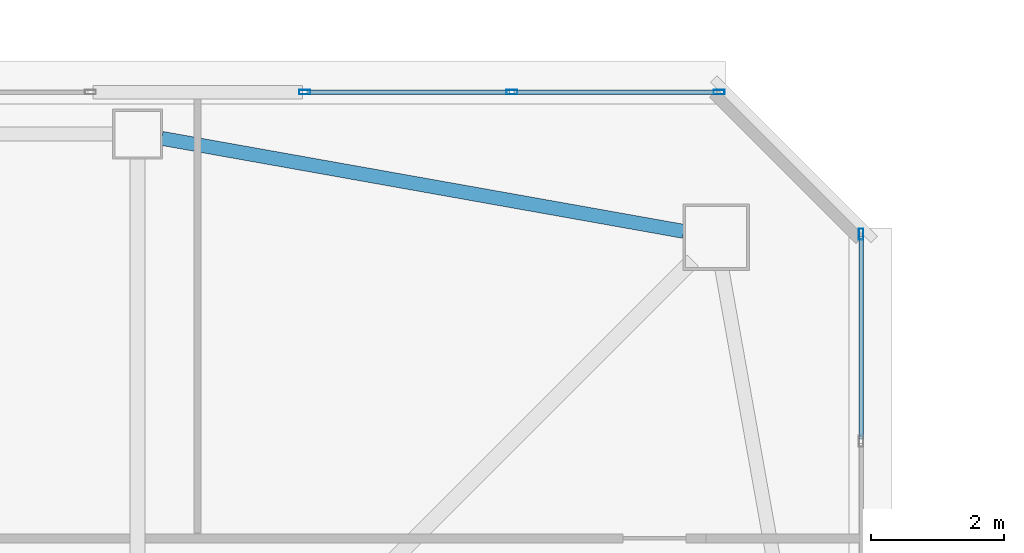
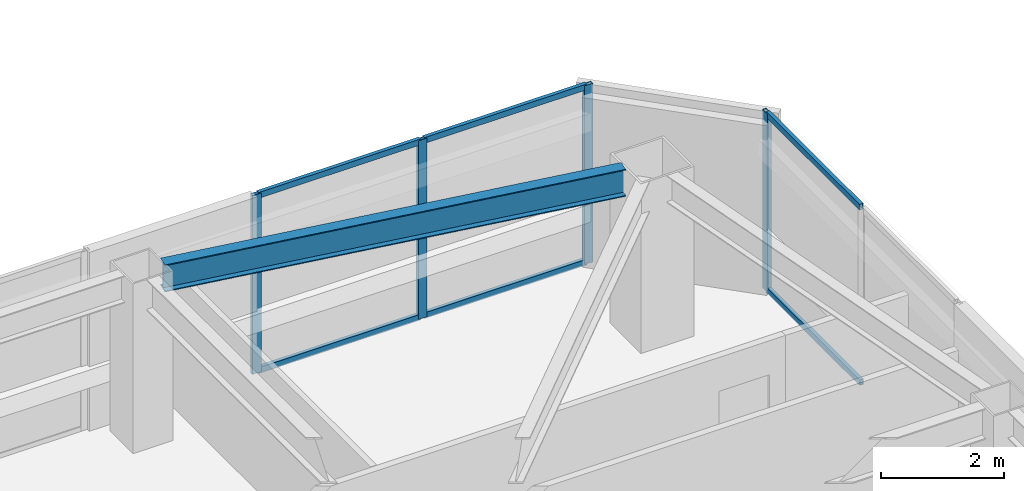
# One storey, part 14 of 39: 10 members, 1 beam, 2 elements without a shape of their own.
"""IFC4 building model written with IfcOpenShell, lengths in metres."""

from ifc_helpers import new_model, si_unit, direction, frame, origin, origin_2d, place, context, subcontext, project, spatial, hollow_rectangle, i_section, extrude, material, material_profile, profile_set, type_object, element, aggregate, save


model = new_model("IFC4")

# Units and contexts
model_context = context("Model", 3, precision=1e-05, world=origin(), true_north=direction((0.0, 1.0)))
body_context = subcontext(model_context, "Body", "Model", "MODEL_VIEW")
ifc_project = project(units=[si_unit("LENGTHUNIT", "METRE"), si_unit("AREAUNIT", "SQUARE_METRE"), si_unit("VOLUMEUNIT", "CUBIC_METRE"), si_unit("PLANEANGLEUNIT", "RADIAN"), si_unit("MASSUNIT", "GRAM", prefix="KILO")], contexts=[model_context])

# Site, building, storey
site_placement = place(None, origin())
site = spatial("IfcSite", under=ifc_project, at=site_placement, CompositionType="ELEMENT")
building_placement = place(site_placement, origin())
building = spatial("IfcBuilding", under=site, at=building_placement, Name="Tashvorn Skyway Center", CompositionType="ELEMENT")
storey_placement = place(building_placement, frame((0.0, 0.0, 214.85009765625)))
storey = spatial("IfcBuildingStorey", under=building, at=storey_placement, Name="L58", CompositionType="ELEMENT", Elevation=214.85009765625)

# Beam
ifc_material_1 = material(Name="Steel ASTM A992 Grade 50", Category="steel")
ifc_material_profile_1 = material_profile(ifc_material_1, i_section(OverallWidth=0.2109375, OverallDepth=0.5390625, WebThickness=0.01171875, FlangeThickness=0.018798828125, at=origin_2d()), Name="W21X73")
ifc_profile_set_1 = profile_set([ifc_material_profile_1], Name="Steel ASTM A992 Grade 50")
beam_type = type_object("IfcBeamType", Name="BM-SPANDREL-W21X73", PredefinedType="SPANDREL", material=ifc_profile_set_1)
beam_placement = place(storey_placement, frame((55.61279296875, 46.186767578125, 3.100341796875), z_axis=(-0.984494883191, 0.17541329759, 0.0), x_axis=(-0.17541329759, -0.984494883191, 0.0)))
element("IfcBeam", 1, at=beam_placement, inside=storey, type_object=beam_type, Name="Tower 1 L58 Spandrel Beam 07", PredefinedType="SPANDREL", context=body_context, shape_type="SweptSolid", body=[
    extrude(i_section(OverallWidth=0.2109375, OverallDepth=0.5390625, WebThickness=0.01171875, FlangeThickness=0.018798828125, at=origin_2d()), origin(), (0.0, 0.0, 1.0), 7.97216796875),
])

# Curtain wall, members
ifc_material_2 = material(Name="Thermally broken bronze-anodized aluminium 6063-T6", Category="aluminium")
curtain_wall_type = type_object("IfcCurtainWallType", Name="CW-CW-Z5", PredefinedType="NOTDEFINED", material=ifc_material_2)
curtain_wall_1_placement = place(storey_placement, origin())
curtain_wall_1 = element("IfcCurtainWall", 2, at=curtain_wall_1_placement, inside=storey, type_object=curtain_wall_type, Name="Tower 1 L58 North Unitised Curtain Wall Glazing Group 3", PredefinedType="NOTDEFINED")
ifc_material_profile_2 = material_profile(ifc_material_2, hollow_rectangle(XDim=0.070068359375, YDim=0.1650390625, WallThickness=0.00390625, at=origin_2d()), Name="ALU-MULL-70x165")
ifc_profile_set_2 = profile_set([ifc_material_profile_2], Name="Thermally broken bronze-anodized aluminium 6063-T6")
member_type_1 = type_object("IfcMemberType", Name="CWM-CW-Z5", PredefinedType="MULLION", material=ifc_profile_set_2)
member_1_placement = place(storey_placement, frame((49.912841796875, 48.280029296875, 0.0), z_axis=(0.0, 0.0, 1.0), x_axis=(0.0, 1.0, 0.0)))
member_1 = element("IfcMember", 3, at=member_1_placement, type_object=member_type_1, Name="CW-Z5 mullion 1", PredefinedType="MULLION", context=body_context, shape_type="SweptSolid", body=[
    extrude(hollow_rectangle(XDim=0.070068359375, YDim=0.1650390625, WallThickness=0.00390625, at=origin_2d()), origin(), (0.0, 0.0, 1.0), 3.5498046875),
])
member_2_placement = place(storey_placement, frame((53.02880859375, 48.280029296875, 0.0), z_axis=(0.0, 0.0, 1.0), x_axis=(0.0, 1.0, 0.0)))
member_2 = element("IfcMember", 4, at=member_2_placement, type_object=member_type_1, Name="CW-Z5 mullion 2", PredefinedType="MULLION", context=body_context, shape_type="SweptSolid", body=[
    extrude(hollow_rectangle(XDim=0.070068359375, YDim=0.1650390625, WallThickness=0.00390625, at=origin_2d()), origin(), (0.0, 0.0, 1.0), 3.5498046875),
])
member_3_placement = place(storey_placement, frame((56.14501953125, 48.280029296875, 0.0), z_axis=(0.0, 0.0, 1.0), x_axis=(0.0, 1.0, 0.0)))
member_3 = element("IfcMember", 5, at=member_3_placement, type_object=member_type_1, Name="CW-Z5 mullion 3", PredefinedType="MULLION", context=body_context, shape_type="SweptSolid", body=[
    extrude(hollow_rectangle(XDim=0.070068359375, YDim=0.1650390625, WallThickness=0.00390625, at=origin_2d()), origin(), (0.0, 0.0, 1.0), 3.5498046875),
])

# Curtain wall, member
curtain_wall_2_placement = place(storey_placement, origin())
curtain_wall_2 = element("IfcCurtainWall", 6, at=curtain_wall_2_placement, inside=storey, type_object=curtain_wall_type, Name="Tower 1 L58 East Unitised Curtain Wall Glazing Group 1", PredefinedType="NOTDEFINED")
member_4_placement = place(storey_placement, frame((58.280029296875, 46.14501953125, 0.0), z_axis=(0.0, 0.0, 1.0), x_axis=(1.0, 0.0, 0.0)))
member_4 = element("IfcMember", 7, at=member_4_placement, type_object=member_type_1, Name="CW-Z5 mullion 1", PredefinedType="MULLION", context=body_context, shape_type="SweptSolid", body=[
    extrude(hollow_rectangle(XDim=0.070068359375, YDim=0.1650390625, WallThickness=0.00390625, at=origin_2d()), origin(), (0.0, 0.0, 1.0), 3.5498046875),
])

# Member
ifc_material_profile_3 = material_profile(ifc_material_2, hollow_rectangle(XDim=0.070068359375, YDim=0.114990234375, WallThickness=0.00390625, at=origin_2d()), Name="ALU-TRAN-70x115")
ifc_profile_set_3 = profile_set([ifc_material_profile_3], Name="Thermally broken bronze-anodized aluminium 6063-T6")
member_type_2 = type_object("IfcMemberType", Name="CWT-CW-Z5", PredefinedType="USERDEFINED", material=ifc_profile_set_3)
member_5_placement = place(storey_placement, frame((49.94775390625, 48.280029296875, 0.034912109375), z_axis=(1.0, 0.0, 0.0), x_axis=(0.0, 1.0, 0.0)))
member_5 = element("IfcMember", 8, at=member_5_placement, type_object=member_type_2, Name="CW-Z5 transom 1.1", ObjectType="TRANSOM", PredefinedType="USERDEFINED", context=body_context, shape_type="SweptSolid", body=[
    extrude(hollow_rectangle(XDim=0.070068359375, YDim=0.114990234375, WallThickness=0.00390625, at=origin_2d()), origin(), (0.0, 0.0, 1.0), 3.046142578125),
])

member_6_placement = place(storey_placement, frame((49.94775390625, 48.280029296875, 3.514892578125), z_axis=(1.0, 0.0, 0.0), x_axis=(0.0, 1.0, 0.0)))
member_6 = element("IfcMember", 9, at=member_6_placement, type_object=member_type_2, Name="CW-Z5 transom 1.2", ObjectType="TRANSOM", PredefinedType="USERDEFINED", context=body_context, shape_type="SweptSolid", body=[
    extrude(hollow_rectangle(XDim=0.070068359375, YDim=0.114990234375, WallThickness=0.00390625, at=origin_2d()), origin(), (0.0, 0.0, 1.0), 3.046142578125),
])

member_7_placement = place(storey_placement, frame((53.06396484375, 48.280029296875, 0.034912109375), z_axis=(1.0, 0.0, 0.0), x_axis=(0.0, 1.0, 0.0)))
member_7 = element("IfcMember", 10, at=member_7_placement, type_object=member_type_2, Name="CW-Z5 transom 2.1", ObjectType="TRANSOM", PredefinedType="USERDEFINED", context=body_context, shape_type="SweptSolid", body=[
    extrude(hollow_rectangle(XDim=0.070068359375, YDim=0.114990234375, WallThickness=0.00390625, at=origin_2d()), origin(), (0.0, 0.0, 1.0), 3.046142578125),
])

member_8_placement = place(storey_placement, frame((53.06396484375, 48.280029296875, 3.514892578125), z_axis=(1.0, 0.0, 0.0), x_axis=(0.0, 1.0, 0.0)))
member_8 = element("IfcMember", 11, at=member_8_placement, type_object=member_type_2, Name="CW-Z5 transom 2.2", ObjectType="TRANSOM", PredefinedType="USERDEFINED", context=body_context, shape_type="SweptSolid", body=[
    extrude(hollow_rectangle(XDim=0.070068359375, YDim=0.114990234375, WallThickness=0.00390625, at=origin_2d()), origin(), (0.0, 0.0, 1.0), 3.046142578125),
])

aggregate(curtain_wall_1, [member_1, member_2, member_3, member_5, member_6, member_7, member_8])

member_9_placement = place(storey_placement, frame((58.280029296875, 46.110107421875, 0.034912109375), z_axis=(0.0, -1.0, 0.0), x_axis=(1.0, 0.0, 0.0)))
member_9 = element("IfcMember", 12, at=member_9_placement, type_object=member_type_2, Name="CW-Z5 transom 1.1", ObjectType="TRANSOM", PredefinedType="USERDEFINED", context=body_context, shape_type="SweptSolid", body=[
    extrude(hollow_rectangle(XDim=0.070068359375, YDim=0.114990234375, WallThickness=0.00390625, at=origin_2d()), origin(), (0.0, 0.0, 1.0), 3.046142578125),
])

member_10_placement = place(storey_placement, frame((58.280029296875, 46.110107421875, 3.514892578125), z_axis=(0.0, -1.0, 0.0), x_axis=(1.0, 0.0, 0.0)))
member_10 = element("IfcMember", 13, at=member_10_placement, type_object=member_type_2, Name="CW-Z5 transom 1.2", ObjectType="TRANSOM", PredefinedType="USERDEFINED", context=body_context, shape_type="SweptSolid", body=[
    extrude(hollow_rectangle(XDim=0.070068359375, YDim=0.114990234375, WallThickness=0.00390625, at=origin_2d()), origin(), (0.0, 0.0, 1.0), 3.046142578125),
])

aggregate(curtain_wall_2, [member_4, member_9, member_10])

save(model, "model.ifc")
